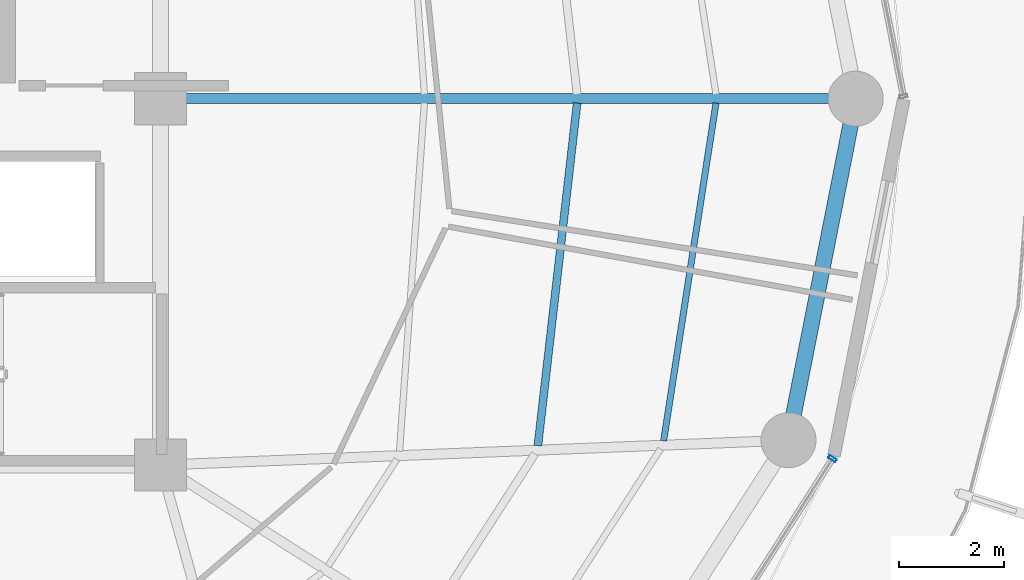
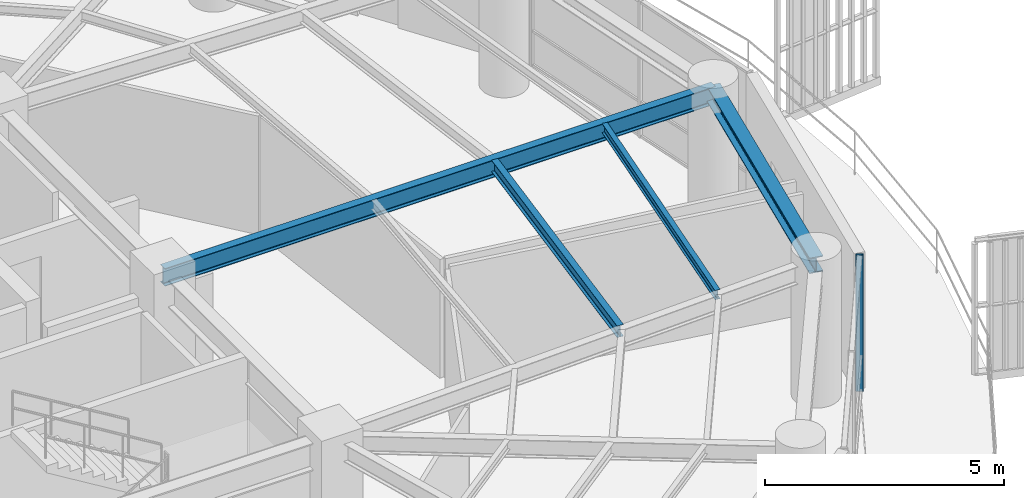
# One storey, part 13 of 31: 4 beams, 1 member, 1 element without a shape of its own.
"""IFC4 building model written with IfcOpenShell, lengths in metres."""

from ifc_helpers import new_model, si_unit, direction, frame, origin, origin_2d, place, context, subcontext, project, spatial, hollow_rectangle, i_section, extrude, material, layer, layer_set, material_profile, profile_set, type_object, element, aggregate, save


model = new_model("IFC4")

# Units and contexts
model_context = context("Model", 3, precision=1e-05, world=origin(), true_north=direction((0.0, 1.0)))
body_context = subcontext(model_context, "Body", "Model", "MODEL_VIEW")
ifc_project = project(units=[si_unit("LENGTHUNIT", "METRE"), si_unit("AREAUNIT", "SQUARE_METRE"), si_unit("VOLUMEUNIT", "CUBIC_METRE"), si_unit("PLANEANGLEUNIT", "RADIAN"), si_unit("MASSUNIT", "GRAM", prefix="KILO")], contexts=[model_context])

# Site, building, storey
site_placement = place(None, origin())
site = spatial("IfcSite", under=ifc_project, at=site_placement, CompositionType="ELEMENT")
building_placement = place(site_placement, origin())
building = spatial("IfcBuilding", under=site, at=building_placement, Name="Kelanora Arch Commons", CompositionType="ELEMENT")
storey_placement = place(building_placement, frame((0.0, 0.0, 226.949951171875)))
storey = spatial("IfcBuildingStorey", under=building, at=storey_placement, Name="L58", CompositionType="ELEMENT", Elevation=226.949951171875)

# Beams
ifc_material_1 = material(Name="Steel S355", Category="steel")
ifc_material_profile_1 = material_profile(ifc_material_1, i_section(OverallWidth=0.14990234375, OverallDepth=0.300048828125, WebThickness=0.007080078125, FlangeThickness=0.0107421875, FilletRadius=0.014892578125, at=origin_2d()), Name="IPE300")
ifc_profile_set_1 = profile_set([ifc_material_profile_1], Name="Steel S355")
beam_type_1 = type_object("IfcBeamType", Name="BM-JST-01", PredefinedType="JOIST", material=ifc_profile_set_1)
beam_1_placement = place(storey_placement, frame((89.207763671875, 51.368896484375, 3.340087890625), z_axis=(0.113891408177, 0.993493204377, 0.0), x_axis=(-0.993493204377, 0.113891408177, 0.0)))
element("IfcBeam", 1, at=beam_1_placement, inside=storey, type_object=beam_type_1, Name="Secondary Chord Joist BJB-34 L58", PredefinedType="JOIST", context=body_context, shape_type="SweptSolid", body=[
    extrude(i_section(OverallWidth=0.14990234375, OverallDepth=0.300048828125, WebThickness=0.007080078125, FlangeThickness=0.0107421875, FilletRadius=0.014892578125, at=origin_2d()), origin(), (0.0, 0.0, 1.0), 6.589599609375),
])
ifc_material_profile_2 = material_profile(ifc_material_1, i_section(OverallWidth=0.1201171875, OverallDepth=0.239990234375, WebThickness=0.006103515625, FlangeThickness=0.009765625, FilletRadius=0.014892578125, at=origin_2d()), Name="IPE240")
ifc_profile_set_2 = profile_set([ifc_material_profile_2], Name="Steel S355")
beam_type_2 = type_object("IfcBeamType", Name="BM-JST-02", PredefinedType="JOIST", material=ifc_profile_set_2)
beam_2_placement = place(storey_placement, frame((91.6103515625, 51.46337890625, 3.3701171875), z_axis=(0.153256756152, 0.988186402808, 0.0), x_axis=(-0.988186402808, 0.153256756152, 0.0)))
element("IfcBeam", 2, at=beam_2_placement, inside=storey, type_object=beam_type_2, Name="Secondary Chord Joist BJC-34 L58", PredefinedType="JOIST", context=body_context, shape_type="SweptSolid", body=[
    extrude(i_section(OverallWidth=0.1201171875, OverallDepth=0.239990234375, WebThickness=0.006103515625, FlangeThickness=0.009765625, FilletRadius=0.014892578125, at=origin_2d()), origin(), (0.0, 0.0, 1.0), 6.52978515625),
])
ifc_material_profile_3 = material_profile(ifc_material_1, i_section(OverallWidth=0.18994140625, OverallDepth=0.449951171875, WebThickness=0.009521484375, FlangeThickness=0.0146484375, FilletRadius=0.02099609375, at=origin_2d()), Name="IPE450")
ifc_profile_set_3 = profile_set([ifc_material_profile_3], Name="Steel S355")
beam_type_3 = type_object("IfcBeamType", Name="BM-RAD-Z4", PredefinedType="BEAM", material=ifc_profile_set_3)
beam_3_placement = place(storey_placement, frame((82.0, 58.0, 3.26513671875), z_axis=(1.0, 0.0, 0.0), x_axis=(0.0, 1.0, 0.0)))
element("IfcBeam", 3, at=beam_3_placement, inside=storey, type_object=beam_type_3, Name="Radial Floor Girder BR-00 L58", PredefinedType="BEAM", context=body_context, shape_type="SweptSolid", body=[
    extrude(i_section(OverallWidth=0.18994140625, OverallDepth=0.449951171875, WebThickness=0.009521484375, FlangeThickness=0.0146484375, FilletRadius=0.02099609375, at=origin_2d()), origin(), (0.0, 0.0, 1.0), 13.280029296875),
])
ifc_material_profile_4 = material_profile(ifc_material_1, i_section(OverallWidth=0.300048828125, OverallDepth=0.39990234375, WebThickness=0.013427734375, FlangeThickness=0.02392578125, FilletRadius=0.027099609375, at=origin_2d()), Name="HEB400")
ifc_profile_set_4 = profile_set([ifc_material_profile_4], Name="Steel S355")
beam_type_4 = type_object("IfcBeamType", Name="BM-SPN-Z4", PredefinedType="SPANDREL", material=ifc_profile_set_4)
beam_4_placement = place(storey_placement, frame((93.99658203125, 51.474365234375, 3.2900390625), z_axis=(0.192980724826, 0.981202547819, 0.0), x_axis=(-0.981202547819, 0.192980724826, 0.0)))
element("IfcBeam", 4, at=beam_4_placement, inside=storey, type_object=beam_type_4, Name="Perimeter Spandrel Beam BS-34 L58", PredefinedType="SPANDREL", context=body_context, shape_type="SweptSolid", body=[
    extrude(i_section(OverallWidth=0.300048828125, OverallDepth=0.39990234375, WebThickness=0.013427734375, FlangeThickness=0.02392578125, FilletRadius=0.027099609375, at=origin_2d()), origin(), (0.0, 0.0, 1.0), 6.650634765625),
])

# Curtain wall, member
ifc_material_2 = material(Name="Terracotta ceramic-fritted low-E glass and aluminium", Category="masonry")
ifc_layer = layer(ifc_material_2, 0.175048828125)
ifc_layer_set = layer_set([ifc_layer], Name="Terracotta ceramic-fritted low-E glass and aluminium")
curtain_wall_type = type_object("IfcCurtainWallType", Name="CW-SYS-02", PredefinedType="NOTDEFINED", material=ifc_layer_set)
curtain_wall_placement = place(storey_placement, origin())
curtain_wall = element("IfcCurtainWall", 5, at=curtain_wall_placement, inside=storey, type_object=curtain_wall_type, Name="Unitised Curtain Wall L58-B16", PredefinedType="NOTDEFINED")
ifc_material_3 = material(Name="Powder-coated aluminium terracotta", Category="masonry")
ifc_material_profile_5 = material_profile(ifc_material_3, hollow_rectangle(XDim=0.159912109375, YDim=0.06005859375, WallThickness=0.0048828125, InnerFilletRadius=0.0048828125, OuterFilletRadius=0.010009765625, at=origin_2d()), Name="CWM160x60")
ifc_profile_set_5 = profile_set([ifc_material_profile_5], Name="Powder-coated aluminium terracotta")
member_type = type_object("IfcMemberType", Name="CWM-STD", PredefinedType="MULLION", material=ifc_profile_set_5)
member_placement = place(storey_placement, frame((94.8369140625, 51.121826171875, 0.0), z_axis=(0.0, 0.0, 1.0), x_axis=(-0.84194757539, 0.539559338994, 0.0)))
member = element("IfcMember", 6, at=member_placement, type_object=member_type, Name="CW-02 mullion 3", PredefinedType="MULLION", context=body_context, shape_type="SweptSolid", body=[
    extrude(hollow_rectangle(XDim=0.159912109375, YDim=0.06005859375, WallThickness=0.0048828125, InnerFilletRadius=0.0048828125, OuterFilletRadius=0.010009765625, at=origin_2d()), origin(), (0.0, 0.0, 1.0), 3.47509765625),
])
aggregate(curtain_wall, [member])

save(model, "model.ifc")
